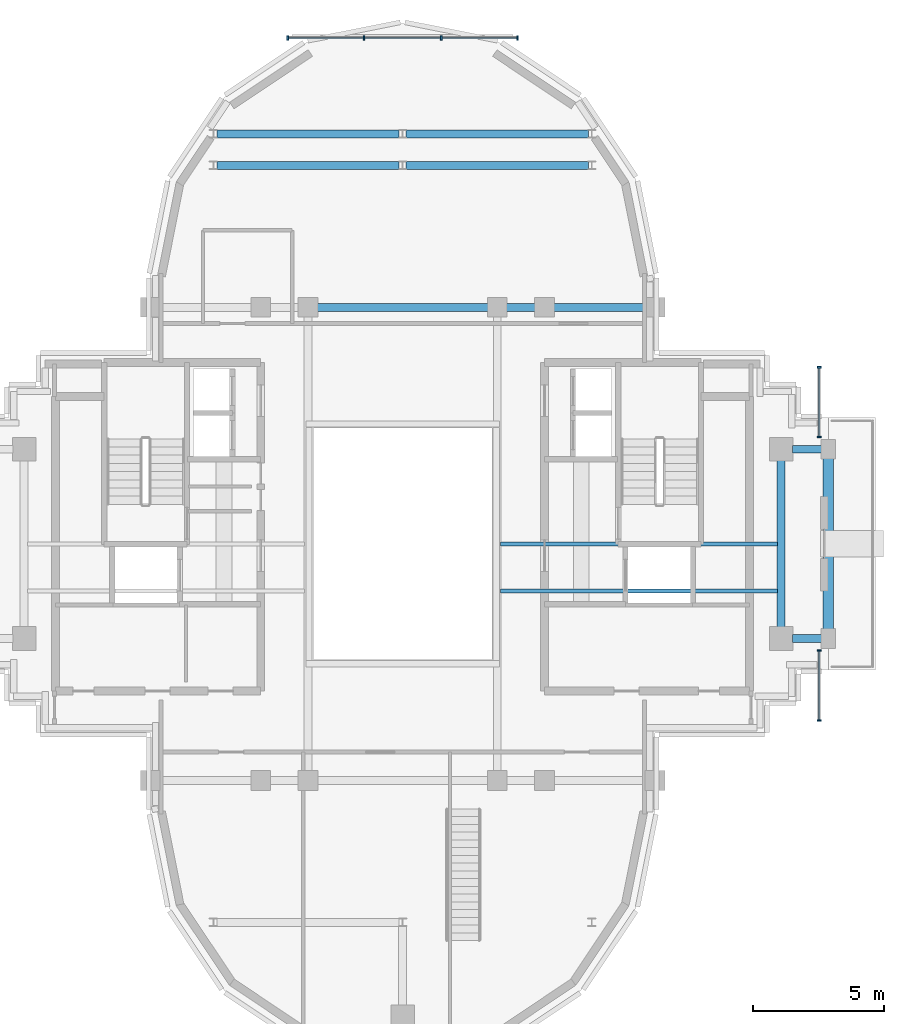
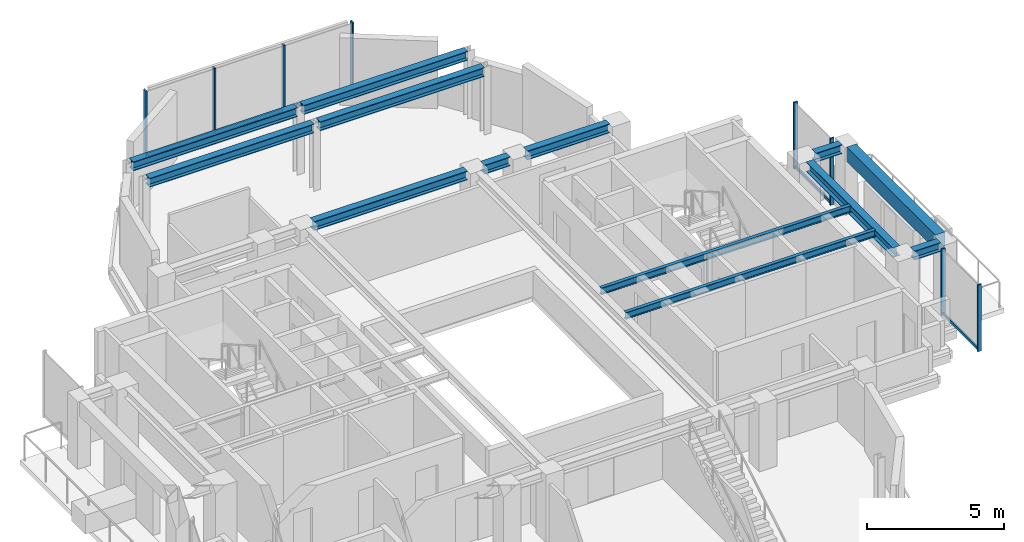
# One storey, part 5 of 12: 13 beams, 13 members, 3 elements without a shape of their own.
"""IFC4 building model written with IfcOpenShell, lengths in metres."""

import ifcopenshell
import ifcopenshell.guid

model = None  # the IFC model being written
_history = None  # IfcOwnerHistory: only IFC2X3 demands one
_inside = {}  # id of a spatial element -> (the spatial element, [elements in it])
_under = {}  # id of a project, library or spatial element -> (it, [spatial elements below it])
_declared = {}  # id of a project -> (the project, [libraries it declares])
_typed = {}  # id of a type object -> (the type object, [elements of that type])
_made_of = {}  # id of a material, layer set ... -> (it, [elements and type objects made of it])


def new_model(schema):
    """Start an empty IFC model of exactly this schema.

    Asked for "IFC4X3", IfcOpenShell would pick the latest addendum, in which some entities
    have other attributes; the version numbers below select the first issue.
    IFC2X3 requires an IfcOwnerHistory on every rooted entity: one is made here for all.
    """
    global model, _history
    if schema == "IFC4X3":
        model = ifcopenshell.file(schema_version=(4, 3, 0, 0))
    else:
        model = ifcopenshell.file(schema=schema)
    _inside.clear()
    _under.clear()
    _declared.clear()
    _typed.clear()
    _made_of.clear()
    _history = None
    if model.schema == "IFC2X3":
        org = make("IfcOrganization", Name="unknown")
        user = make(
            "IfcPersonAndOrganization",
            ThePerson=make("IfcPerson", FamilyName="unknown"),
            TheOrganization=org,
        )
        app = make(
            "IfcApplication",
            ApplicationDeveloper=org,
            Version="unknown",
            ApplicationFullName="unknown",
            ApplicationIdentifier="unknown",
        )
        _history = make(
            "IfcOwnerHistory",
            OwningUser=user,
            OwningApplication=app,
            ChangeAction="ADDED",
            CreationDate=0,
        )
    return model


def make(cls, **values):
    """One entity of the class cls with the attributes given. An attribute that is None is left unset."""
    return model.create_entity(
        cls, **{name: value for name, value in values.items() if value is not None}
    )


def rooted(cls, **values):
    """An entity with a GlobalId (a new one), such as an element, a storey or a relation."""
    return make(cls, GlobalId=ifcopenshell.guid.new(), OwnerHistory=_history, **values)


def si_unit(unit_type, name, prefix=None):
    """IfcSIUnit, for example si_unit("LENGTHUNIT", "METRE", prefix="MILLI")."""
    return make("IfcSIUnit", UnitType=unit_type, Prefix=prefix, Name=name)


def assignment(units):
    """IfcUnitAssignment: the units of a project."""
    return None if units is None else make("IfcUnitAssignment", Units=units)


def point(xyz):
    """IfcCartesianPoint."""
    return None if xyz is None else make("IfcCartesianPoint", Coordinates=xyz)


def direction(xyz):
    """IfcDirection."""
    return None if xyz is None else make("IfcDirection", DirectionRatios=xyz)


def frame(location, z_axis=None, x_axis=None):
    """IfcAxis2Placement3D, a coordinate frame: its origin and axes. An axis left out is left unset."""
    return make(
        "IfcAxis2Placement3D",
        Location=point(location),
        Axis=direction(z_axis),
        RefDirection=direction(x_axis),
    )


def frame_2d(location, x_axis=None):
    """IfcAxis2Placement2D, a coordinate frame in the plane: its origin and x axis."""
    return make(
        "IfcAxis2Placement2D", Location=point(location), RefDirection=direction(x_axis)
    )


def origin():
    """The frame at (0, 0, 0) with its axes left unset."""
    return frame((0.0, 0.0, 0.0))


def origin_2d():
    """The frame at (0, 0) in the plane with its x axis left unset."""
    return frame_2d((0.0, 0.0))


def place(relative_to, where):
    """IfcLocalPlacement: puts the frame where relative to a parent placement (None: the world)."""
    return make(
        "IfcLocalPlacement", PlacementRelTo=relative_to, RelativePlacement=where
    )


def context(
    kind, dimensions, precision=None, world=None, true_north=None, identifier=None
):
    """IfcGeometricRepresentationContext, for example the 3D "Model" context."""
    return make(
        "IfcGeometricRepresentationContext",
        ContextIdentifier=identifier,
        ContextType=kind,
        CoordinateSpaceDimension=dimensions,
        Precision=precision,
        WorldCoordinateSystem=world,
        TrueNorth=true_north,
    )


def subcontext(parent, identifier, kind, view, scale=None):
    """IfcGeometricRepresentationSubContext, for example "Body" below "Model"."""
    return make(
        "IfcGeometricRepresentationSubContext",
        ContextIdentifier=identifier,
        ContextType=kind,
        ParentContext=parent,
        TargetScale=scale,
        TargetView=view,
    )


def project(units=None, contexts=None):
    """IfcProject with its units and contexts."""
    return rooted(
        "IfcProject",
        Name="project",
        RepresentationContexts=contexts,
        UnitsInContext=assignment(units),
    )


def spatial(cls, under=None, at=None, **own):
    """A site, building, storey or space (cls), placed at a placement, below another one or the project."""
    s = rooted(cls, ObjectPlacement=at, **own)
    if under is not None:
        _under.setdefault(under.id(), (under, []))[1].append(s)
    return s


def profile(cls, at=None, kind="AREA", **sizes):
    """A parametric profile (cls). Its sizes go by their IFC names, for example OverallWidth=200.0."""
    return make(cls, ProfileType=kind, Position=at, **sizes)


def rectangle(**sizes):
    """IfcRectangleProfileDef."""
    return profile("IfcRectangleProfileDef", **sizes)


def i_section(**sizes):
    """IfcIShapeProfileDef."""
    return profile("IfcIShapeProfileDef", **sizes)


def extrude(swept, where, along, depth):
    """IfcExtrudedAreaSolid: the profile swept, set in the frame where, extruded along a direction by depth."""
    return make(
        "IfcExtrudedAreaSolid",
        SweptArea=swept,
        Position=where,
        ExtrudedDirection=direction(along),
        Depth=depth,
    )


def shape(context_of_items, identifier, shape_type, items):
    """IfcShapeRepresentation: the items that make up one representation, for example the "Body"."""
    return make(
        "IfcShapeRepresentation",
        ContextOfItems=context_of_items,
        RepresentationIdentifier=identifier,
        RepresentationType=shape_type,
        Items=items,
    )


def source(mapping_origin, context_of_items, identifier, shape_type, items):
    """IfcRepresentationMap: a shape defined once, which mapped items show again and again."""
    return make(
        "IfcRepresentationMap",
        MappingOrigin=mapping_origin,
        MappedRepresentation=shape(context_of_items, identifier, shape_type, items),
    )


def transform(
    local_origin,
    x_axis=None,
    y_axis=None,
    z_axis=None,
    scale=None,
    scale2=None,
    scale3=None,
    uniform=True,
):
    """IfcCartesianTransformationOperator3D, or its non-uniform kind. x_axis, y_axis, z_axis: its Axis1, 2, 3."""
    if uniform:
        return make(
            "IfcCartesianTransformationOperator3D",
            Axis1=direction(x_axis),
            Axis2=direction(y_axis),
            LocalOrigin=point(local_origin),
            Scale=scale,
            Axis3=direction(z_axis),
        )
    return make(
        "IfcCartesianTransformationOperator3DnonUniform",
        Axis1=direction(x_axis),
        Axis2=direction(y_axis),
        LocalOrigin=point(local_origin),
        Scale=scale,
        Axis3=direction(z_axis),
        Scale2=scale2,
        Scale3=scale3,
    )


def mapped(mapping_source, mapping_target):
    """IfcMappedItem: shows the shape of a source again, moved by a transform."""
    return make(
        "IfcMappedItem", MappingSource=mapping_source, MappingTarget=mapping_target
    )


def material(Name=None, Category=None):
    """IfcMaterial."""
    return make("IfcMaterial", Name=Name, Category=Category)


def material_profile(
    of_material, cross_section, Name=None, Category=None, Priority=None
):
    """IfcMaterialProfile: a cross section and its material."""
    return make(
        "IfcMaterialProfile",
        Name=Name,
        Material=of_material,
        Profile=cross_section,
        Priority=Priority,
        Category=Category,
    )


def profile_set(profiles, Name=None, composite=None):
    """IfcMaterialProfileSet."""
    return make(
        "IfcMaterialProfileSet",
        Name=Name,
        MaterialProfiles=profiles,
        CompositeProfile=composite,
    )


def made_of(thing, what):
    """Note that an element or type object is made of a material, layer set ...; save() writes the relation."""
    if what is not None:
        _made_of.setdefault(what.id(), (what, []))[1].append(thing)
    return thing


def type_object(cls, material=None, **own):
    """A type object (cls), such as IfcWallType, which elements share."""
    return made_of(rooted(cls, **own), material)


def element(
    cls,
    number,
    at=None,
    inside=None,
    cuts=None,
    type_object=None,
    material=None,
    context=None,
    identifier="Body",
    shape_type=None,
    held_by="IfcProductDefinitionShape",
    body=None,
    shapes=None,
    **own,
):
    """One element of the class cls, such as IfcWall. Its Tag is "e" and its number.

    at: its placement. inside: the storey or other place that contains it. cuts: it is an
    opening in that element (IfcRelVoidsElement). A single representation is given by context,
    identifier, shape_type and body (its items); several are given by shapes. held_by: the class
    of the entity that holds the representations. save() writes the other relations.
    """
    e = rooted(cls, Tag="e%d" % number, ObjectPlacement=at, **own)
    if body is not None:
        shapes = [shape(context, identifier, shape_type, body)]
    if shapes is not None:
        e.Representation = make(held_by, Representations=shapes)
    if inside is not None:
        _inside.setdefault(inside.id(), (inside, []))[1].append(e)
    if cuts is not None:
        rooted(
            "IfcRelVoidsElement", RelatingBuildingElement=cuts, RelatedOpeningElement=e
        )
    if type_object is not None:
        _typed.setdefault(type_object.id(), (type_object, []))[1].append(e)
    return made_of(e, material)


def aggregate(whole, parts):
    """IfcRelAggregates: a whole, such as a stair, and the parts it consists of."""
    return rooted("IfcRelAggregates", RelatingObject=whole, RelatedObjects=parts)


def save(model, path):
    """Write the relations noted so far, then the file.

    IfcRelAggregates (storeys below a building ...), IfcRelContainedInSpatialStructure (elements
    in a storey), IfcRelDefinesByType, IfcRelAssociatesMaterial and IfcRelDeclares: one each for
    every whole, place, type object, material and project.
    """
    for whole, parts in _under.values():
        aggregate(whole, parts)
    for where, things in _inside.values():
        rooted(
            "IfcRelContainedInSpatialStructure",
            RelatedElements=things,
            RelatingStructure=where,
        )
    for kind, things in _typed.values():
        rooted("IfcRelDefinesByType", RelatedObjects=things, RelatingType=kind)
    for what, things in _made_of.values():
        rooted("IfcRelAssociatesMaterial", RelatedObjects=things, RelatingMaterial=what)
    for by, libraries in _declared.values():
        rooted("IfcRelDeclares", RelatingContext=by, RelatedDefinitions=libraries)
    model.write(path)


model = new_model("IFC4")

# Units and contexts
model_context = context("Model", 3, precision=1e-05, world=origin(), true_north=direction((0.0, 1.0)))
body_context = subcontext(model_context, "Body", "Model", "MODEL_VIEW")
ifc_project = project(units=[si_unit("LENGTHUNIT", "METRE"), si_unit("AREAUNIT", "SQUARE_METRE"), si_unit("VOLUMEUNIT", "CUBIC_METRE"), si_unit("PLANEANGLEUNIT", "RADIAN"), si_unit("MASSUNIT", "GRAM", prefix="KILO")], contexts=[model_context])

# Site, building, storey
site_placement = place(None, origin())
site = spatial("IfcSite", under=ifc_project, at=site_placement, CompositionType="ELEMENT")
building_placement = place(site_placement, origin())
building = spatial("IfcBuilding", under=site, at=building_placement, Name="Keilestroom Media Tower", CompositionType="ELEMENT")
storey_placement = place(building_placement, frame((0.0, 0.0, 252.39990234375)))
storey = spatial("IfcBuildingStorey", under=building, at=storey_placement, Name="L70", CompositionType="ELEMENT", Elevation=252.39990234375)

# Beams
ifc_material_1 = material(Name="Steel S355", Category="steel")
ifc_material_profile_1 = material_profile(ifc_material_1, i_section(OverallWidth=0.300048828125, OverallDepth=0.39990234375, WebThickness=0.011474609375, FlangeThickness=0.02392578125, at=origin_2d()), Name="HEB 400")
ifc_profile_set_1 = profile_set([ifc_material_profile_1], Name="Steel S355")
beam_type_1 = type_object("IfcBeamType", Name="Primary-Structural-Girder-HEB-400", PredefinedType="BEAM", material=ifc_profile_set_1)
shared_shape_1 = source(origin(), body_context, "Body", "SweptSolid", [
    extrude(i_section(OverallWidth=0.300048828125, OverallDepth=0.39990234375, WebThickness=0.011474609375, FlangeThickness=0.02392578125, at=origin_2d()), origin(), (0.0, 0.0, 1.0), 6.940185546875),
])
for number, where, z_axis, x_axis, name in (
    (1, (-7.070068359375, 14.39990234375, 2.81005859375), (1.0, 0.0, 0.0), (0.0, 1.0, 0.0), "L70 Beam BG-8 BM-L70-EW-017"),
    (2, (0.1298828125, 14.39990234375, 2.81005859375), (1.0, 0.0, 0.0), (0.0, 1.0, 0.0), "L70 Beam BG-8 BM-L70-EW-018"),
    (3, (-7.070068359375, 15.60009765625, 2.81005859375), (1.0, 0.0, 0.0), (0.0, 1.0, 0.0), "L70 Beam BG-8 BM-L70-EW-019"),
    (4, (0.1298828125, 15.60009765625, 2.81005859375), (1.0, 0.0, 0.0), (0.0, 1.0, 0.0), "L70 Beam BG-8 BM-L70-EW-020"),
):
    element("IfcBeam", number, at=place(storey_placement, frame(where, z_axis=z_axis, x_axis=x_axis)), inside=storey, type_object=beam_type_1, Name=name, PredefinedType="BEAM", context=body_context, shape_type="MappedRepresentation", body=[
        mapped(shared_shape_1, transform((0.0, 0.0, 0.0), x_axis=(1.0, 0.0, 0.0), y_axis=(0.0, 1.0, 0.0), z_axis=(0.0, 0.0, 1.0), scale=1.0)),
    ])
shared_shape_2 = source(origin(), body_context, "Body", "SweptSolid", [
    extrude(i_section(OverallWidth=0.300048828125, OverallDepth=0.39990234375, WebThickness=0.011474609375, FlangeThickness=0.02392578125, at=origin_2d()), origin(), (0.0, 0.0, 1.0), 3.490234375),
])
beam_1_placement = place(storey_placement, frame((5.7548828125, 9.0, 2.81005859375), z_axis=(1.0, 0.0, 0.0), x_axis=(0.0, 1.0, 0.0)))
element("IfcBeam", 5, at=beam_1_placement, inside=storey, type_object=beam_type_1, Name="L70 Beam BG-8 BM-L70-EW-016", PredefinedType="BEAM", context=body_context, shape_type="MappedRepresentation", body=[
    mapped(shared_shape_2, transform((0.0, 0.0, 0.0), x_axis=(1.0, 0.0, 0.0), y_axis=(0.0, 1.0, 0.0), z_axis=(0.0, 0.0, 1.0), scale=1.0)),
])
shared_shape_3 = source(origin(), body_context, "Body", "SweptSolid", [
    extrude(i_section(OverallWidth=0.300048828125, OverallDepth=0.39990234375, WebThickness=0.011474609375, FlangeThickness=0.02392578125, at=origin_2d()), origin(), (0.0, 0.0, 1.0), 1.08984375),
])
beam_2_placement = place(storey_placement, frame((3.955078125, 9.0, 2.81005859375), z_axis=(1.0, 0.0, 0.0), x_axis=(0.0, 1.0, 0.0)))
element("IfcBeam", 6, at=beam_2_placement, inside=storey, type_object=beam_type_1, Name="L70 Beam BG-8 BM-L70-EW-015", PredefinedType="BEAM", context=body_context, shape_type="MappedRepresentation", body=[
    mapped(shared_shape_3, transform((0.0, 0.0, 0.0), x_axis=(1.0, 0.0, 0.0), y_axis=(0.0, 1.0, 0.0), z_axis=(0.0, 0.0, 1.0), scale=1.0)),
])
shared_shape_4 = source(origin(), body_context, "Body", "SweptSolid", [
    extrude(i_section(OverallWidth=0.300048828125, OverallDepth=0.39990234375, WebThickness=0.011474609375, FlangeThickness=0.02392578125, at=origin_2d()), origin(), (0.0, 0.0, 1.0), 6.490234375),
])
beam_3_placement = place(storey_placement, frame((-3.2451171875, 9.0, 2.81005859375), z_axis=(1.0, 0.0, 0.0), x_axis=(0.0, 1.0, 0.0)))
element("IfcBeam", 7, at=beam_3_placement, inside=storey, type_object=beam_type_1, Name="L70 Beam BG-8 BM-L70-EW-014", PredefinedType="BEAM", context=body_context, shape_type="MappedRepresentation", body=[
    mapped(shared_shape_4, transform((0.0, 0.0, 0.0), x_axis=(1.0, 0.0, 0.0), y_axis=(0.0, 1.0, 0.0), z_axis=(0.0, 0.0, 1.0), scale=1.0)),
])
ifc_material_2 = material(Name="Precast concrete C40/50", Category="concrete")
ifc_material_profile_2 = material_profile(ifc_material_2, rectangle(XDim=0.39990234375, YDim=0.64990234375, at=origin_2d()), Name="PC 400x650")
ifc_profile_set_2 = profile_set([ifc_material_profile_2], Name="Precast concrete C40/50")
beam_type_2 = type_object("IfcBeamType", Name="Perimeter-Spandrel-Beam-PC-400x650", PredefinedType="SPANDREL", material=ifc_profile_set_2)
shared_shape_5 = source(origin(), body_context, "Body", "SweptSolid", [
    extrude(rectangle(XDim=0.39990234375, YDim=0.64990234375, at=origin_2d()), origin(), (0.0, 0.0, 1.0), 6.490234375),
])
beam_4_placement = place(storey_placement, frame((16.199951171875, -3.2451171875, 2.68505859375), z_axis=(0.0, 1.0, 0.0), x_axis=(-1.0, 0.0, 0.0)))
element("IfcBeam", 8, at=beam_4_placement, inside=storey, type_object=beam_type_2, Name="L70 Beam SPB-2 BM-L70-NS-034", PredefinedType="SPANDREL", context=body_context, shape_type="MappedRepresentation", body=[
    mapped(shared_shape_5, transform((0.0, 0.0, 0.0), x_axis=(1.0, 0.0, 0.0), y_axis=(0.0, 1.0, 0.0), z_axis=(0.0, 0.0, 1.0), scale=1.0)),
])
ifc_material_profile_3 = material_profile(ifc_material_1, i_section(OverallWidth=0.300048828125, OverallDepth=0.43994140625, WebThickness=0.011474609375, FlangeThickness=0.02099609375, at=origin_2d()), Name="HEA 450")
ifc_profile_set_3 = profile_set([ifc_material_profile_3], Name="Steel S355")
beam_type_3 = type_object("IfcBeamType", Name="Primary-Structural-Girder-HEA-450", PredefinedType="BEAM", material=ifc_profile_set_3)
shared_shape_6 = source(origin(), body_context, "Body", "SweptSolid", [
    extrude(i_section(OverallWidth=0.300048828125, OverallDepth=0.43994140625, WebThickness=0.011474609375, FlangeThickness=0.02099609375, at=origin_2d()), origin(), (0.0, 0.0, 1.0), 6.33984375),
])
beam_5_placement = place(storey_placement, frame((14.39990234375, -3.169921875, 2.7900390625), z_axis=(0.0, 1.0, 0.0), x_axis=(-1.0, 0.0, 0.0)))
element("IfcBeam", 9, at=beam_5_placement, inside=storey, type_object=beam_type_3, Name="L70 Beam BG-11 BM-L70-NS-033", PredefinedType="BEAM", context=body_context, shape_type="MappedRepresentation", body=[
    mapped(shared_shape_6, transform((0.0, 0.0, 0.0), x_axis=(1.0, 0.0, 0.0), y_axis=(0.0, 1.0, 0.0), z_axis=(0.0, 0.0, 1.0), scale=1.0)),
])
ifc_material_profile_4 = material_profile(ifc_material_1, i_section(OverallWidth=0.14990234375, OverallDepth=0.300048828125, WebThickness=0.007080078125, FlangeThickness=0.0107421875, at=origin_2d()), Name="IPE 300")
ifc_profile_set_4 = profile_set([ifc_material_profile_4], Name="Steel S355")
beam_type_4 = type_object("IfcBeamType", Name="Secondary-Floor-Joist-IPE-300", PredefinedType="JOIST", material=ifc_profile_set_4)
shared_shape_7 = source(origin(), body_context, "Body", "SweptSolid", [
    extrude(i_section(OverallWidth=0.14990234375, OverallDepth=0.300048828125, WebThickness=0.007080078125, FlangeThickness=0.0107421875, at=origin_2d()), origin(), (0.0, 0.0, 1.0), 10.5400390625),
])
for number, where, z_axis, x_axis, name in (
    (10, (3.72998046875, -1.800048828125, 2.860107421875), (1.0, 0.0, 0.0), (0.0, 1.0, 0.0), "L70 Beam BJ-7 JST-L70-037"),
    (11, (3.72998046875, 0.0, 2.860107421875), (1.0, 0.0, 0.0), (0.0, 1.0, 0.0), "L70 Beam BJ-7 JST-L70-040"),
):
    element("IfcBeam", number, at=place(storey_placement, frame(where, z_axis=z_axis, x_axis=x_axis)), inside=storey, type_object=beam_type_4, Name=name, PredefinedType="JOIST", context=body_context, shape_type="MappedRepresentation", body=[
        mapped(shared_shape_7, transform((0.0, 0.0, 0.0), x_axis=(1.0, 0.0, 0.0), y_axis=(0.0, 1.0, 0.0), z_axis=(0.0, 0.0, 1.0), scale=1.0)),
    ])
shared_shape_8 = source(origin(), body_context, "Body", "SweptSolid", [
    extrude(i_section(OverallWidth=0.300048828125, OverallDepth=0.39990234375, WebThickness=0.011474609375, FlangeThickness=0.02392578125, at=origin_2d()), origin(), (0.0, 0.0, 1.0), 1.114990234375),
])
for number, where, z_axis, x_axis, name in (
    (12, (14.830078125, -3.60009765625, 2.81005859375), (1.0, 0.0, 0.0), (0.0, 1.0, 0.0), "L70 Beam BG-8 BM-L70-EW-009"),
    (13, (14.830078125, 3.60009765625, 2.81005859375), (1.0, 0.0, 0.0), (0.0, 1.0, 0.0), "L70 Beam BG-8 BM-L70-EW-011"),
):
    element("IfcBeam", number, at=place(storey_placement, frame(where, z_axis=z_axis, x_axis=x_axis)), inside=storey, type_object=beam_type_1, Name=name, PredefinedType="BEAM", context=body_context, shape_type="MappedRepresentation", body=[
        mapped(shared_shape_8, transform((0.0, 0.0, 0.0), x_axis=(1.0, 0.0, 0.0), y_axis=(0.0, 1.0, 0.0), z_axis=(0.0, 0.0, 1.0), scale=1.0)),
    ])

# Curtain wall, members
ifc_material_3 = material(Name="Anodised Aluminium Alloy", Category="aluminium")
curtain_wall_type_1 = type_object("IfcCurtainWallType", Name="Unitised-Curtain-Wall-CW-6", PredefinedType="NOTDEFINED", material=ifc_material_3)
curtain_wall_1_placement = place(storey_placement, origin())
curtain_wall_1 = element("IfcCurtainWall", 14, at=curtain_wall_1_placement, inside=storey, type_object=curtain_wall_type_1, Name="L70 Curtain Wall CW-6 CW-L70-LN-1", PredefinedType="NOTDEFINED")
ifc_material_profile_5 = material_profile(ifc_material_3, rectangle(XDim=0.06494140625, YDim=0.179931640625, at=origin_2d()), Name="ALU MULLION 65x180")
ifc_profile_set_5 = profile_set([ifc_material_profile_5], Name="Anodised Aluminium Alloy")
member_type_1 = type_object("IfcMemberType", Name="Curtain-Wall-Mullion-CW-6", PredefinedType="MULLION", material=ifc_profile_set_5)
shared_shape_9 = source(origin(), body_context, "Body", "SweptSolid", [
    extrude(rectangle(XDim=0.06494140625, YDim=0.179931640625, at=origin_2d()), origin(), (0.0, 0.0, 1.0), 2.97998046875),
])
member_1_placement = place(storey_placement, frame((-4.367431640625, 19.25, 0.0), z_axis=(0.0, 0.0, 1.0), x_axis=(1.0, 0.0, 0.0)))
member_1 = element("IfcMember", 15, at=member_1_placement, type_object=member_type_1, Name="CW-6 Mullion 00", PredefinedType="MULLION", context=body_context, shape_type="MappedRepresentation", body=[
    mapped(shared_shape_9, transform((0.0, 0.0, 0.0), x_axis=(1.0, 0.0, 0.0), y_axis=(0.0, 1.0, 0.0), z_axis=(0.0, 0.0, 1.0), scale=1.0)),
])
member_2_placement = place(storey_placement, frame((-1.466796875, 19.25, 0.0), z_axis=(0.0, 0.0, 1.0), x_axis=(1.0, 0.0, 0.0)))
member_2 = element("IfcMember", 16, at=member_2_placement, type_object=member_type_1, Name="CW-6 Mullion 01", PredefinedType="MULLION", context=body_context, shape_type="MappedRepresentation", body=[
    mapped(shared_shape_9, transform((0.0, 0.0, 0.0), x_axis=(1.0, 0.0, 0.0), y_axis=(0.0, 1.0, 0.0), z_axis=(0.0, 0.0, 1.0), scale=1.0)),
])
member_3_placement = place(storey_placement, frame((1.466796875, 19.25, 0.0), z_axis=(0.0, 0.0, 1.0), x_axis=(1.0, 0.0, 0.0)))
member_3 = element("IfcMember", 17, at=member_3_placement, type_object=member_type_1, Name="CW-6 Mullion 02", PredefinedType="MULLION", context=body_context, shape_type="MappedRepresentation", body=[
    mapped(shared_shape_9, transform((0.0, 0.0, 0.0), x_axis=(1.0, 0.0, 0.0), y_axis=(0.0, 1.0, 0.0), z_axis=(0.0, 0.0, 1.0), scale=1.0)),
])
member_4_placement = place(storey_placement, frame((4.367431640625, 19.25, 0.0), z_axis=(0.0, 0.0, 1.0), x_axis=(1.0, 0.0, 0.0)))
member_4 = element("IfcMember", 18, at=member_4_placement, type_object=member_type_1, Name="CW-6 Mullion 03", PredefinedType="MULLION", context=body_context, shape_type="MappedRepresentation", body=[
    mapped(shared_shape_9, transform((0.0, 0.0, 0.0), x_axis=(1.0, 0.0, 0.0), y_axis=(0.0, 1.0, 0.0), z_axis=(0.0, 0.0, 1.0), scale=1.0)),
])
ifc_material_profile_6 = material_profile(ifc_material_3, rectangle(XDim=0.06494140625, YDim=0.14990234375, at=origin_2d()), Name="ALU TRANSOM 65x150")
ifc_profile_set_6 = profile_set([ifc_material_profile_6], Name="Anodised Aluminium Alloy")
member_type_2 = type_object("IfcMemberType", Name="Curtain-Wall-Transom-CW-6", PredefinedType="USERDEFINED", material=ifc_profile_set_6)
shared_shape_10 = source(origin(), body_context, "Body", "SweptSolid", [
    extrude(rectangle(XDim=0.06494140625, YDim=0.14990234375, at=origin_2d()), origin(), (0.0, 0.0, 1.0), 2.839599609375),
])
member_5_placement = place(storey_placement, frame((-4.3369140625, 19.25, 0.0751953125), z_axis=(1.0, 0.0, 0.0), x_axis=(0.0, 1.0, 0.0)))
member_5 = element("IfcMember", 19, at=member_5_placement, type_object=member_type_2, Name="CW-6 Transom 00.1", ObjectType="TRANSOM", PredefinedType="USERDEFINED", context=body_context, shape_type="MappedRepresentation", body=[
    mapped(shared_shape_10, transform((0.0, 0.0, 0.0), x_axis=(1.0, 0.0, 0.0), y_axis=(0.0, 1.0, 0.0), z_axis=(0.0, 0.0, 1.0), scale=1.0)),
])
member_6_placement = place(storey_placement, frame((1.497314453125, 19.25, 0.0751953125), z_axis=(1.0, 0.0, 0.0), x_axis=(0.0, 1.0, 0.0)))
member_6 = element("IfcMember", 20, at=member_6_placement, type_object=member_type_2, Name="CW-6 Transom 02.1", ObjectType="TRANSOM", PredefinedType="USERDEFINED", context=body_context, shape_type="MappedRepresentation", body=[
    mapped(shared_shape_10, transform((0.0, 0.0, 0.0), x_axis=(1.0, 0.0, 0.0), y_axis=(0.0, 1.0, 0.0), z_axis=(0.0, 0.0, 1.0), scale=1.0)),
])
shared_shape_11 = source(origin(), body_context, "Body", "SweptSolid", [
    extrude(rectangle(XDim=0.06494140625, YDim=0.14990234375, at=origin_2d()), origin(), (0.0, 0.0, 1.0), 2.87255859375),
])
member_7_placement = place(storey_placement, frame((-1.436279296875, 19.25, 0.0751953125), z_axis=(1.0, 0.0, 0.0), x_axis=(0.0, 1.0, 0.0)))
member_7 = element("IfcMember", 21, at=member_7_placement, type_object=member_type_2, Name="CW-6 Transom 01.1", ObjectType="TRANSOM", PredefinedType="USERDEFINED", context=body_context, shape_type="MappedRepresentation", body=[
    mapped(shared_shape_11, transform((0.0, 0.0, 0.0), x_axis=(1.0, 0.0, 0.0), y_axis=(0.0, 1.0, 0.0), z_axis=(0.0, 0.0, 1.0), scale=1.0)),
])
aggregate(curtain_wall_1, [member_1, member_2, member_3, member_4, member_5, member_7, member_6])

curtain_wall_type_2 = type_object("IfcCurtainWallType", Name="Unitised-Curtain-Wall-CW-4", PredefinedType="NOTDEFINED", material=ifc_material_3)
curtain_wall_2_placement = place(storey_placement, origin())
curtain_wall_2 = element("IfcCurtainWall", 22, at=curtain_wall_2_placement, inside=storey, type_object=curtain_wall_type_2, Name="L70 Curtain Wall CW-4 CW-L70-E-1", PredefinedType="NOTDEFINED")
ifc_material_profile_7 = material_profile(ifc_material_3, rectangle(XDim=0.06005859375, YDim=0.159912109375, at=origin_2d()), Name="ALU MULLION 60x160")
ifc_profile_set_7 = profile_set([ifc_material_profile_7], Name="Anodised Aluminium Alloy")
member_type_3 = type_object("IfcMemberType", Name="Curtain-Wall-Mullion-CW-4", PredefinedType="MULLION", material=ifc_profile_set_7)
shared_shape_12 = source(origin(), body_context, "Body", "SweptSolid", [
    extrude(rectangle(XDim=0.06005859375, YDim=0.159912109375, at=origin_2d()), origin(), (0.0, 0.0, 1.0), 2.97998046875),
])
member_8_placement = place(storey_placement, frame((15.85009765625, -6.719970703125, 0.0), z_axis=(0.0, 0.0, 1.0), x_axis=(0.0, 1.0, 0.0)))
member_8 = element("IfcMember", 23, at=member_8_placement, type_object=member_type_3, Name="CW-4 Mullion 00", PredefinedType="MULLION", context=body_context, shape_type="MappedRepresentation", body=[
    mapped(shared_shape_12, transform((0.0, 0.0, 0.0), x_axis=(1.0, 0.0, 0.0), y_axis=(0.0, 1.0, 0.0), z_axis=(0.0, 0.0, 1.0), scale=1.0)),
])
member_9_placement = place(storey_placement, frame((15.85009765625, -4.06494140625, 0.0), z_axis=(0.0, 0.0, 1.0), x_axis=(0.0, 1.0, 0.0)))
member_9 = element("IfcMember", 24, at=member_9_placement, type_object=member_type_3, Name="CW-4 Mullion 01", PredefinedType="MULLION", context=body_context, shape_type="MappedRepresentation", body=[
    mapped(shared_shape_12, transform((0.0, 0.0, 0.0), x_axis=(1.0, 0.0, 0.0), y_axis=(0.0, 1.0, 0.0), z_axis=(0.0, 0.0, 1.0), scale=1.0)),
])

curtain_wall_3_placement = place(storey_placement, origin())
curtain_wall_3 = element("IfcCurtainWall", 25, at=curtain_wall_3_placement, inside=storey, type_object=curtain_wall_type_2, Name="L70 Curtain Wall CW-4 CW-L70-E-2", PredefinedType="NOTDEFINED")
member_10_placement = place(storey_placement, frame((15.85009765625, 4.06494140625, 0.0), z_axis=(0.0, 0.0, 1.0), x_axis=(0.0, 1.0, 0.0)))
member_10 = element("IfcMember", 26, at=member_10_placement, type_object=member_type_3, Name="CW-4 Mullion 00", PredefinedType="MULLION", context=body_context, shape_type="MappedRepresentation", body=[
    mapped(shared_shape_12, transform((0.0, 0.0, 0.0), x_axis=(1.0, 0.0, 0.0), y_axis=(0.0, 1.0, 0.0), z_axis=(0.0, 0.0, 1.0), scale=1.0)),
])
member_11_placement = place(storey_placement, frame((15.85009765625, 6.719970703125, 0.0), z_axis=(0.0, 0.0, 1.0), x_axis=(0.0, 1.0, 0.0)))
member_11 = element("IfcMember", 27, at=member_11_placement, type_object=member_type_3, Name="CW-4 Mullion 01", PredefinedType="MULLION", context=body_context, shape_type="MappedRepresentation", body=[
    mapped(shared_shape_12, transform((0.0, 0.0, 0.0), x_axis=(1.0, 0.0, 0.0), y_axis=(0.0, 1.0, 0.0), z_axis=(0.0, 0.0, 1.0), scale=1.0)),
])

# Member
ifc_material_profile_8 = material_profile(ifc_material_3, rectangle(XDim=0.06005859375, YDim=0.1298828125, at=origin_2d()), Name="ALU TRANSOM 60x130")
ifc_profile_set_8 = profile_set([ifc_material_profile_8], Name="Anodised Aluminium Alloy")
member_type_4 = type_object("IfcMemberType", Name="Curtain-Wall-Transom-CW-4", PredefinedType="USERDEFINED", material=ifc_profile_set_8)
shared_shape_13 = source(origin(), body_context, "Body", "SweptSolid", [
    extrude(rectangle(XDim=0.06005859375, YDim=0.1298828125, at=origin_2d()), origin(), (0.0, 0.0, 1.0), 2.598876953125),
])
member_12_placement = place(storey_placement, frame((15.85009765625, -6.69189453125, 0.065185546875), z_axis=(0.0, 1.0, 0.0), x_axis=(-1.0, 0.0, 0.0)))
member_12 = element("IfcMember", 28, at=member_12_placement, type_object=member_type_4, Name="CW-4 Transom 00.1", ObjectType="TRANSOM", PredefinedType="USERDEFINED", context=body_context, shape_type="MappedRepresentation", body=[
    mapped(shared_shape_13, transform((0.0, 0.0, 0.0), x_axis=(1.0, 0.0, 0.0), y_axis=(0.0, 1.0, 0.0), z_axis=(0.0, 0.0, 1.0), scale=1.0)),
])

aggregate(curtain_wall_2, [member_8, member_9, member_12])

member_13_placement = place(storey_placement, frame((15.85009765625, 4.093017578125, 0.065185546875), z_axis=(0.0, 1.0, 0.0), x_axis=(-1.0, 0.0, 0.0)))
member_13 = element("IfcMember", 29, at=member_13_placement, type_object=member_type_4, Name="CW-4 Transom 00.1", ObjectType="TRANSOM", PredefinedType="USERDEFINED", context=body_context, shape_type="MappedRepresentation", body=[
    mapped(shared_shape_13, transform((0.0, 0.0, 0.0), x_axis=(1.0, 0.0, 0.0), y_axis=(0.0, 1.0, 0.0), z_axis=(0.0, 0.0, 1.0), scale=1.0)),
])

aggregate(curtain_wall_3, [member_10, member_11, member_13])

save(model, "model.ifc")
